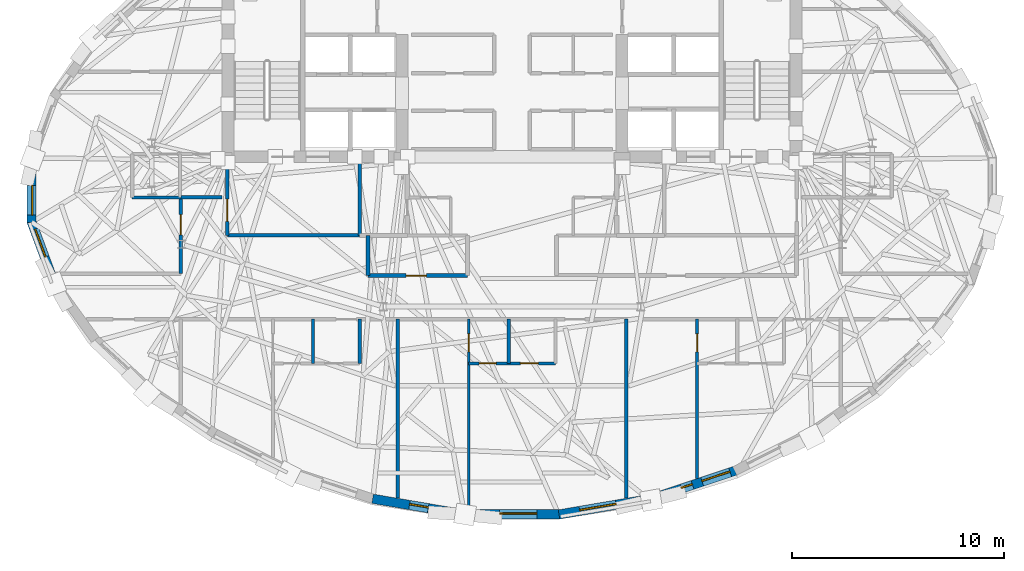
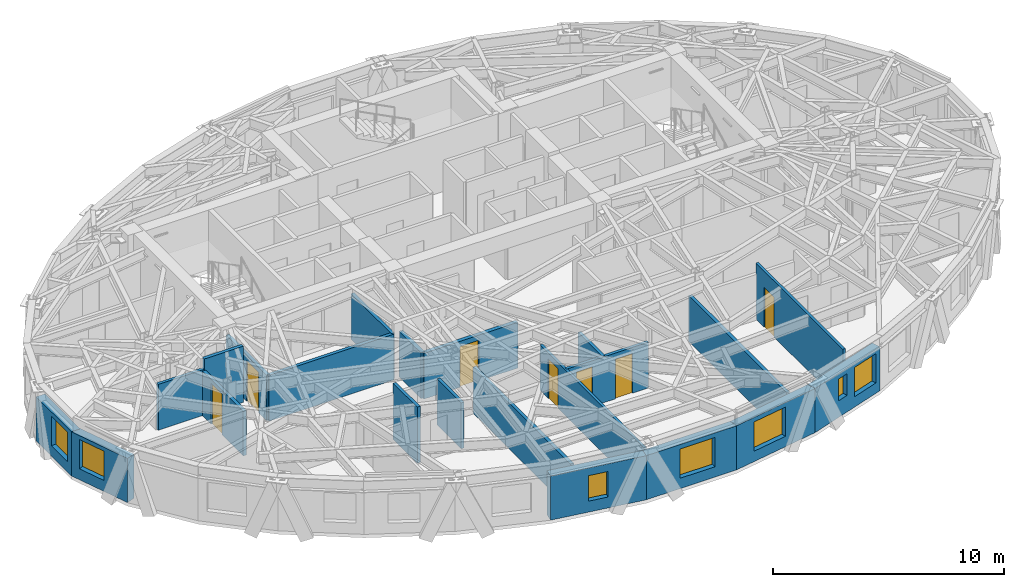
# One storey, part 6 of 14: 22 walls, 7 doors, 7 windows, 14 openings.
"""IFC4 building model written with IfcOpenShell, lengths in metres."""

from ifc_helpers import new_model, si_unit, direction, frame, frame_2d, origin, place, context, subcontext, project, spatial, rectangle, extrude, material, layer, layer_set, type_object, element, fill, save


model = new_model("IFC4")

# Units and contexts
model_context = context("Model", 3, precision=1e-05, world=origin(), true_north=direction((0.0, 1.0)))
body_context = subcontext(model_context, "Body", "Model", "MODEL_VIEW")
ifc_project = project(units=[si_unit("LENGTHUNIT", "METRE"), si_unit("AREAUNIT", "SQUARE_METRE"), si_unit("VOLUMEUNIT", "CUBIC_METRE"), si_unit("PLANEANGLEUNIT", "RADIAN"), si_unit("MASSUNIT", "GRAM", prefix="KILO")], contexts=[model_context])

# Site, building, storey
site_placement = place(None, origin())
site = spatial("IfcSite", under=ifc_project, at=site_placement, CompositionType="ELEMENT")
building_placement = place(site_placement, origin())
building = spatial("IfcBuilding", under=site, at=building_placement, Name="Keldmark Tower", CompositionType="ELEMENT")
storey_placement = place(building_placement, frame((0.0, 0.0, 222.60009765625)))
storey = spatial("IfcBuildingStorey", under=building, at=storey_placement, Name="L62", CompositionType="ELEMENT", Elevation=222.60009765625)

# Wall, opening, door
ifc_material_1 = material(Name="Heavy Acoustic Plumbing Chase Gypsum Assembly", Category="gypsum")
ifc_layer_1 = layer(ifc_material_1, 0.18994140625)
ifc_layer_set_1 = layer_set([ifc_layer_1], Name="Heavy Acoustic Plumbing Chase Gypsum Assembly")
wall_type_1 = type_object("IfcWallType", Name="Heavy Wet Wall 190 mm", PredefinedType="PLUMBINGWALL", material=ifc_layer_set_1)
wall_1_placement = place(storey_placement, frame((-6.800048828125, -4.050048828125, 0.0), z_axis=(0.0, 0.0, 1.0), x_axis=(1.0, 0.0, 0.0)))
wall_1 = element("IfcWall", 1, at=wall_1_placement, inside=storey, type_object=wall_type_1, Name="L62 Heavy Wet Wall 190 mm SPK-W-S", PredefinedType="PLUMBINGWALL", context=body_context, shape_type="SweptSolid", body=[
    extrude(rectangle(XDim=4.699951171875, YDim=0.18994140625, at=frame_2d((2.35009765625, 0.0))), origin(), (0.0, 0.0, 1.0), 2.4228515625),
])
opening_1_placement = place(wall_1_placement, frame((1.800048828125, 0.0, 0.0)))
opening_1 = element("IfcOpeningElement", 2, at=opening_1_placement, cuts=wall_1, Name="Opening D-AWC95", PredefinedType="OPENING", context=body_context, shape_type="SweptSolid", body=[
    extrude(rectangle(XDim=0.949951171875, YDim=2.14990234375, at=frame_2d((0.47509765625, 1.074951171875))), frame((0.0, 0.10498046875, 0.0), z_axis=(0.0, -1.0, 0.0), x_axis=(1.0, 0.0, 0.0)), (0.0, 0.0, 1.0), 0.2099609375),
])
ifc_material_2 = material(Name="Painted Solid-Core Architectural Wood", Category="wood")
door_type_1 = type_object("IfcDoorType", Name="Accessible WC Door 950x2150", OperationType="NOTDEFINED", PredefinedType="DOOR", material=ifc_material_2)
door_1_placement = place(opening_1_placement, origin())
door_1 = element("IfcDoor", 3, at=door_1_placement, inside=storey, type_object=door_type_1, Name="L62 Accessible WC Door 950x2150 D-SPKW1-L62", OperationType="SINGLE_SWING_LEFT", OverallHeight=2.14990234375, OverallWidth=0.949951171875, PredefinedType="DOOR", context=body_context, shape_type="SweptSolid", body=[
    extrude(rectangle(XDim=0.949951171875, YDim=2.14990234375, at=frame_2d((0.47509765625, 1.074951171875))), frame((0.0, 0.02490234375, 0.0), z_axis=(0.0, -1.0, 0.0), x_axis=(1.0, 0.0, 0.0)), (0.0, 0.0, 1.0), 0.050048828125),
])
fill(opening_1, door_1)

# Wall
wall_2_placement = place(storey_placement, frame((-6.800048828125, -4.050048828125, 0.0), z_axis=(0.0, 0.0, 1.0), x_axis=(0.0, 1.0, 0.0)))
element("IfcWall", 4, at=wall_2_placement, inside=storey, type_object=wall_type_1, Name="L62 Heavy Wet Wall 190 mm SPK-W-W", PredefinedType="PLUMBINGWALL", context=body_context, shape_type="SweptSolid", body=[
    extrude(rectangle(XDim=1.900146484375, YDim=0.18994140625, at=frame_2d((0.9501953125, 0.0))), origin(), (0.0, 0.0, 1.0), 2.4228515625),
])

# Wall, opening, door
ifc_material_3 = material(Name="Acoustic Gypsum Board Interior Partition", Category="gypsum")
ifc_layer_2 = layer(ifc_material_3, 0.1298828125)
ifc_layer_set_2 = layer_set([ifc_layer_2], Name="Acoustic Gypsum Board Interior Partition")
wall_type_2 = type_object("IfcWallType", Name="Interior Partition 130 mm", PredefinedType="PARTITIONING", material=ifc_layer_set_2)
wall_3_placement = place(storey_placement, frame((-2.050048828125, -15.105712890625, 0.0), z_axis=(0.0, 0.0, 1.0), x_axis=(0.0, 1.0, 0.0)))
wall_3 = element("IfcWall", 5, at=wall_3_placement, inside=storey, type_object=wall_type_2, Name="L62 Interior Partition 130 mm UB-BR1-E", PredefinedType="PARTITIONING", context=body_context, shape_type="SweptSolid", body=[
    extrude(rectangle(XDim=9.005615234375, YDim=0.1298828125, at=frame_2d((4.5029296875, 0.0))), origin(), (0.0, 0.0, 1.0), 2.4228515625),
])
opening_2_placement = place(wall_3_placement, frame((7.4560546875, 0.0, 0.0)))
opening_2 = element("IfcOpeningElement", 6, at=opening_2_placement, cuts=wall_3, Name="Opening D-BR085", PredefinedType="OPENING", context=body_context, shape_type="SweptSolid", body=[
    extrude(rectangle(XDim=0.85009765625, YDim=2.10009765625, at=frame_2d((0.425048828125, 1.050048828125))), frame((0.0, 0.074951171875, 0.0), z_axis=(0.0, -1.0, 0.0), x_axis=(1.0, 0.0, 0.0)), (0.0, 0.0, 1.0), 0.14990234375),
])
ifc_material_4 = material(Name="Solid-Core Stained Walnut Wood", Category="wood")
door_type_2 = type_object("IfcDoorType", Name="Bedroom Door 850x2100", OperationType="NOTDEFINED", PredefinedType="DOOR", material=ifc_material_4)
door_2_placement = place(opening_2_placement, origin())
door_2 = element("IfcDoor", 7, at=door_2_placement, inside=storey, type_object=door_type_2, Name="L62 Bedroom Door 850x2100 D-UB-BR1-L62", OperationType="SINGLE_SWING_RIGHT", OverallHeight=2.10009765625, OverallWidth=0.85009765625, PredefinedType="DOOR", context=body_context, shape_type="SweptSolid", body=[
    extrude(rectangle(XDim=0.85009765625, YDim=2.10009765625, at=frame_2d((0.425048828125, 1.050048828125))), frame((0.0, 0.02490234375, 0.0), z_axis=(0.0, -1.0, 0.0), x_axis=(1.0, 0.0, 0.0)), (0.0, 0.0, 1.0), 0.050048828125),
])
fill(opening_2, door_2)

wall_4_placement = place(storey_placement, frame((8.75, -13.6318359375, 0.0), z_axis=(0.0, 0.0, 1.0), x_axis=(0.0, 1.0, 0.0)))
wall_4 = element("IfcWall", 8, at=wall_4_placement, inside=storey, type_object=wall_type_2, Name="L62 Interior Partition 130 mm UC-BR1-E", PredefinedType="PARTITIONING", context=body_context, shape_type="SweptSolid", body=[
    extrude(rectangle(XDim=7.53173828125, YDim=0.1298828125, at=frame_2d((3.765869140625, 0.0))), origin(), (0.0, 0.0, 1.0), 2.969970703125),
])
opening_3_placement = place(wall_4_placement, frame((5.982421875, 0.0, 0.0)))
opening_3 = element("IfcOpeningElement", 9, at=opening_3_placement, cuts=wall_4, Name="Opening D-BR085", PredefinedType="OPENING", context=body_context, shape_type="SweptSolid", body=[
    extrude(rectangle(XDim=0.85009765625, YDim=2.10009765625, at=frame_2d((0.425048828125, 1.050048828125))), frame((0.0, 0.074951171875, 0.0), z_axis=(0.0, -1.0, 0.0), x_axis=(1.0, 0.0, 0.0)), (0.0, 0.0, 1.0), 0.14990234375),
])
door_3_placement = place(opening_3_placement, origin())
door_3 = element("IfcDoor", 10, at=door_3_placement, inside=storey, type_object=door_type_2, Name="L62 Bedroom Door 850x2100 D-UC-BR1-L62", OperationType="SINGLE_SWING_RIGHT", OverallHeight=2.10009765625, OverallWidth=0.85009765625, PredefinedType="DOOR", context=body_context, shape_type="SweptSolid", body=[
    extrude(rectangle(XDim=0.85009765625, YDim=2.10009765625, at=frame_2d((0.425048828125, 1.050048828125))), frame((0.0, 0.02490234375, 0.0), z_axis=(0.0, -1.0, 0.0), x_axis=(1.0, 0.0, 0.0)), (0.0, 0.0, 1.0), 0.050048828125),
])
fill(opening_3, door_3)

# Wall
ifc_material_5 = material(Name="Type X Fire-Rated Gypsum Partition Assembly", Category="gypsum")
ifc_layer_3 = layer(ifc_material_5, 0.1650390625)
ifc_layer_set_3 = layer_set([ifc_layer_3], Name="Type X Fire-Rated Gypsum Partition Assembly")
wall_type_3 = type_object("IfcWallType", Name="Rated Partition 165 mm", PredefinedType="PARTITIONING", material=ifc_layer_set_3)
wall_5_placement = place(storey_placement, frame((-13.449951171875, -2.14990234375, 0.0), z_axis=(0.0, 0.0, 1.0), x_axis=(1.0, 0.0, 0.0)))
element("IfcWall", 11, at=wall_5_placement, inside=storey, type_object=wall_type_3, Name="L62 Rated Partition 165 mm FSAE-W-S", PredefinedType="PARTITIONING", context=body_context, shape_type="SweptSolid", body=[
    extrude(rectangle(XDim=6.25, YDim=0.1650390625, at=frame_2d((3.125, 0.0))), origin(), (0.0, 0.0, 1.0), 2.4228515625),
])

# Wall, opening, door
wall_6_placement = place(storey_placement, frame((-13.449951171875, -2.14990234375, 0.0), z_axis=(0.0, 0.0, 1.0), x_axis=(0.0, 1.0, 0.0)))
wall_6 = element("IfcWall", 12, at=wall_6_placement, inside=storey, type_object=wall_type_3, Name="L62 Rated Partition 165 mm FSAE-W-W", PredefinedType="PARTITIONING", context=body_context, shape_type="SweptSolid", body=[
    extrude(rectangle(XDim=3.5, YDim=0.1650390625, at=frame_2d((1.75, 0.0))), origin(), (0.0, 0.0, 1.0), 2.4228515625),
])
opening_4_placement = place(wall_6_placement, frame((0.669921875, 0.0, 0.0)))
opening_4 = element("IfcOpeningElement", 13, at=opening_4_placement, cuts=wall_6, Name="Opening D-FL105", PredefinedType="OPENING", context=body_context, shape_type="SweptSolid", body=[
    extrude(rectangle(XDim=1.050048828125, YDim=2.14990234375, at=frame_2d((0.52490234375, 1.074951171875))), frame((0.0, 0.092529296875, 0.0), z_axis=(0.0, -1.0, 0.0), x_axis=(1.0, 0.0, 0.0)), (0.0, 0.0, 1.0), 0.18505859375),
])
ifc_material_6 = material(Name="Fire-Rated Mineral-Core Door and Vision Lite", Category="metal")
door_type_3 = type_object("IfcDoorType", Name="Fire Lobby Door 1050x2150", OperationType="NOTDEFINED", PredefinedType="DOOR", material=ifc_material_6)
door_4_placement = place(opening_4_placement, origin())
door_4 = element("IfcDoor", 14, at=door_4_placement, inside=storey, type_object=door_type_3, Name="L62 Fire Lobby Door 1050x2150 D-FSAEW-OUT-L62", OperationType="SINGLE_SWING_LEFT", OverallHeight=2.14990234375, OverallWidth=1.050048828125, PredefinedType="DOOR", context=body_context, shape_type="SweptSolid", body=[
    extrude(rectangle(XDim=1.050048828125, YDim=2.14990234375, at=frame_2d((0.52490234375, 1.074951171875))), frame((0.0, 0.02490234375, 0.0), z_axis=(0.0, -1.0, 0.0), x_axis=(1.0, 0.0, 0.0)), (0.0, 0.0, 1.0), 0.050048828125),
])
fill(opening_4, door_4)

# Wall
wall_7_placement = place(storey_placement, frame((-7.199951171875, -2.14990234375, 0.0), z_axis=(0.0, 0.0, 1.0), x_axis=(0.0, 1.0, 0.0)))
element("IfcWall", 15, at=wall_7_placement, inside=storey, type_object=wall_type_3, Name="L62 Rated Partition 165 mm FSAE-W-E", PredefinedType="PARTITIONING", context=body_context, shape_type="SweptSolid", body=[
    extrude(rectangle(XDim=3.5, YDim=0.1650390625, at=frame_2d((1.75, 0.0))), origin(), (0.0, 0.0, 1.0), 2.4228515625),
])

# Wall, opening, door
wall_8_placement = place(storey_placement, frame((-15.64990234375, -3.949951171875, 0.0), z_axis=(0.0, 0.0, 1.0), x_axis=(0.0, 1.0, 0.0)))
wall_8 = element("IfcWall", 16, at=wall_8_placement, inside=storey, type_object=wall_type_3, Name="L62 Rated Partition 165 mm RCOR-VW", PredefinedType="PARTITIONING", context=body_context, shape_type="SweptSolid", body=[
    extrude(rectangle(XDim=3.599853515625, YDim=0.1650390625, at=frame_2d((1.7998046875, 0.0))), origin(), (0.0, 0.0, 1.0), 2.35693359375),
])
opening_5_placement = place(wall_8_placement, frame((1.830078125, 0.0, 0.0)))
opening_5 = element("IfcOpeningElement", 17, at=opening_5_placement, cuts=wall_8, Name="Opening D-AP095", PredefinedType="OPENING", context=body_context, shape_type="SweptSolid", body=[
    extrude(rectangle(XDim=0.949951171875, YDim=2.14990234375, at=frame_2d((0.47509765625, 1.074951171875))), frame((0.0, 0.092529296875, 0.0), z_axis=(0.0, -1.0, 0.0), x_axis=(1.0, 0.0, 0.0)), (0.0, 0.0, 1.0), 0.18505859375),
])
ifc_material_7 = material(Name="Solid-Core Walnut Fire-Rated Entry Assembly", Category="wood")
door_type_4 = type_object("IfcDoorType", Name="Apartment Entry Door 950x2150", OperationType="NOTDEFINED", PredefinedType="DOOR", material=ifc_material_7)
door_5_placement = place(opening_5_placement, origin())
door_5 = element("IfcDoor", 18, at=door_5_placement, inside=storey, type_object=door_type_4, Name="L62 Apartment Entry Door 950x2150 D-UD-ENT-L62", OperationType="SINGLE_SWING_RIGHT", OverallHeight=2.14990234375, OverallWidth=0.949951171875, PredefinedType="DOOR", context=body_context, shape_type="SweptSolid", body=[
    extrude(rectangle(XDim=0.949951171875, YDim=2.14990234375, at=frame_2d((0.47509765625, 1.074951171875))), frame((0.0, 0.02490234375, 0.0), z_axis=(0.0, -1.0, 0.0), x_axis=(1.0, 0.0, 0.0)), (0.0, 0.0, 1.0), 0.050048828125),
])
fill(opening_5, door_5)

# Walls
wall_9_placement = place(storey_placement, frame((-15.64990234375, -0.35009765625, 0.0), z_axis=(0.0, 0.0, 1.0), x_axis=(1.0, 0.0, 0.0)))
element("IfcWall", 19, at=wall_9_placement, inside=storey, type_object=wall_type_3, Name="L62 Rated Partition 165 mm RCOR-VWN", PredefinedType="PARTITIONING", context=body_context, shape_type="SweptSolid", body=[
    extrude(rectangle(XDim=1.949951171875, YDim=0.1650390625, at=frame_2d((0.97509765625, 0.0))), origin(), (0.0, 0.0, 1.0), 2.969970703125),
])
for number, where, z_axis, x_axis, name in (
    (20, (-5.39990234375, -14.565185546875, 0.0), (0.0, 0.0, 1.0), (0.0, 1.0, 0.0), "L62 Rated Partition 165 mm RS-DIV-1"),
    (21, (5.39990234375, -14.565185546875, 0.0), (0.0, 0.0, 1.0), (0.0, 1.0, 0.0), "L62 Rated Partition 165 mm RS-DIV-2"),
):
    element("IfcWall", number, at=place(storey_placement, frame(where, z_axis=z_axis, x_axis=x_axis)), inside=storey, type_object=wall_type_3, Name=name, PredefinedType="PARTITIONING", context=body_context, shape_type="SweptSolid", body=[
        extrude(rectangle(XDim=8.465087890625, YDim=0.1650390625, at=frame_2d((4.232421875, 0.0))), origin(), (0.0, 0.0, 1.0), 2.4228515625),
    ])

# Wall, opening, window
ifc_material_8 = material(Name="Ironspot Manganese Brick and Kasota Buff Limestone Spandrel Assembly", Category="masonry")
ifc_layer_4 = layer(ifc_material_8, 0.43994140625)
ifc_layer_set_4 = layer_set([ifc_layer_4], Name="Ironspot Manganese Brick and Kasota Buff Limestone Spandrel Assembly")
wall_type_4 = type_object("IfcWallType", Name="Tower Brick Pier and Spandrel Wall 440 mm", PredefinedType="STANDARD", material=ifc_layer_set_4)
wall_10_placement = place(storey_placement, frame((-22.714111328125, -1.531982421875, 0.0), z_axis=(0.0, 0.0, 1.0), x_axis=(0.0, 1.0, 0.0)))
wall_10 = element("IfcWall", 22, at=wall_10_placement, inside=storey, type_object=wall_type_4, Name="L62 Exterior Brick and Spandrel Wall 16", PredefinedType="STANDARD", context=body_context, shape_type="SweptSolid", body=[
    extrude(rectangle(XDim=3.06396484375, YDim=0.43994140625, at=frame_2d((1.531982421875, 0.0))), origin(), (0.0, 0.0, 1.0), 2.3359375),
])
opening_6_placement = place(wall_10_placement, frame((0.345703125, 0.0, 0.550048828125)))
opening_6 = element("IfcOpeningElement", 23, at=opening_6_placement, cuts=wall_10, Name="Opening W-08", PredefinedType="OPENING", context=body_context, shape_type="SweptSolid", body=[
    extrude(rectangle(XDim=1.39990234375, YDim=1.550048828125, at=frame_2d((0.699951171875, 0.77490234375))), frame((0.0, 0.22998046875, 0.0), z_axis=(0.0, -1.0, 0.0), x_axis=(1.0, 0.0, 0.0)), (0.0, 0.0, 1.0), 0.4599609375),
])
ifc_material_9 = material(Name="Thermally Broken Anodized Aluminum and Triple Low-E Argon Glazing", Category="aluminium")
window_type_1 = type_object("IfcWindowType", Name="Residential Corner Punched Window 1400x1550", PartitioningType="SINGLE_PANEL", PredefinedType="WINDOW", material=ifc_material_9)
window_1_placement = place(opening_6_placement, origin())
window_1 = element("IfcWindow", 24, at=window_1_placement, inside=storey, type_object=window_type_1, Name="L62 Deep-Set Window 16", OverallHeight=1.550048828125, OverallWidth=1.39990234375, PartitioningType="SINGLE_PANEL", PredefinedType="WINDOW", context=body_context, shape_type="SweptSolid", body=[
    extrude(rectangle(XDim=1.39990234375, YDim=1.550048828125, at=frame_2d((0.699951171875, 0.77490234375))), frame((0.0, -0.010009765625, 0.0), z_axis=(0.0, -1.0, 0.0), x_axis=(1.0, 0.0, 0.0)), (0.0, 0.0, 1.0), 0.06005859375),
])
fill(opening_6, window_1)

wall_11_placement = place(storey_placement, frame((-21.633056640625, -4.416748046875, 0.0), z_axis=(0.0, 0.0, 1.0), x_axis=(-0.346755155412, 0.937955682426, 0.0)))
wall_11 = element("IfcWall", 25, at=wall_11_placement, inside=storey, type_object=wall_type_4, Name="L62 Exterior Brick and Spandrel Wall 17", PredefinedType="STANDARD", context=body_context, shape_type="SweptSolid", body=[
    extrude(rectangle(XDim=3.156982421875, YDim=0.43994140625, at=frame_2d((1.57861328125, 0.0))), origin(), (0.0, 0.0, 1.0), 2.3359375),
])
opening_7_placement = place(wall_11_placement, frame((1.314697265625, 0.0, 0.580078125)))
opening_7 = element("IfcOpeningElement", 26, at=opening_7_placement, cuts=wall_11, Name="Opening W-08", PredefinedType="OPENING", context=body_context, shape_type="SweptSolid", body=[
    extrude(rectangle(XDim=1.39990234375, YDim=1.550048828125, at=frame_2d((0.699951171875, 0.77490234375))), frame((0.0, 0.22998046875, 0.0), z_axis=(0.0, -1.0, 0.0), x_axis=(1.0, 0.0, 0.0)), (0.0, 0.0, 1.0), 0.4599609375),
])
window_2_placement = place(opening_7_placement, origin())
window_2 = element("IfcWindow", 27, at=window_2_placement, inside=storey, type_object=window_type_1, Name="L62 Deep-Set Window 17", OverallHeight=1.550048828125, OverallWidth=1.39990234375, PartitioningType="SINGLE_PANEL", PredefinedType="WINDOW", context=body_context, shape_type="SweptSolid", body=[
    extrude(rectangle(XDim=1.39990234375, YDim=1.550048828125, at=frame_2d((0.699951171875, 0.77490234375))), frame((0.0, -0.010009765625, 0.0), z_axis=(0.0, -1.0, 0.0), x_axis=(1.0, 0.0, 0.0)), (0.0, 0.0, 1.0), 0.06005859375),
])
fill(opening_7, window_2)

wall_12_placement = place(storey_placement, frame((-2.221923828125, -15.3369140625, 0.0), z_axis=(0.0, 0.0, 1.0), x_axis=(-0.985849288176, 0.16763406874, 0.0)))
wall_12 = element("IfcWall", 28, at=wall_12_placement, inside=storey, type_object=wall_type_4, Name="L62 Exterior Brick and Spandrel Wall 23", PredefinedType="STANDARD", context=body_context, shape_type="SweptSolid", body=[
    extrude(rectangle(XDim=4.428955078125, YDim=0.43994140625, at=frame_2d((2.21435546875, 0.0))), origin(), (0.0, 0.0, 1.0), 2.3359375),
])
opening_8_placement = place(wall_12_placement, frame((1.764404296875, 0.0, 0.580078125)))
opening_8 = element("IfcOpeningElement", 29, at=opening_8_placement, cuts=wall_12, Name="Opening W-09", PredefinedType="OPENING", context=body_context, shape_type="SweptSolid", body=[
    extrude(rectangle(XDim=0.89990234375, YDim=1.35009765625, at=frame_2d((0.449951171875, 0.675048828125))), frame((0.0, 0.22998046875, 0.0), z_axis=(0.0, -1.0, 0.0), x_axis=(1.0, 0.0, 0.0)), (0.0, 0.0, 1.0), 0.4599609375),
])
ifc_material_10 = material(Name="Thermally Broken Anodized Aluminum and Triple Low-E Argon Glazing", Category="aluminium")
window_type_2 = type_object("IfcWindowType", Name="Corner Pier Deep-Set Window 900x1350", PartitioningType="SINGLE_PANEL", PredefinedType="WINDOW", material=ifc_material_10)
window_3_placement = place(opening_8_placement, origin())
window_3 = element("IfcWindow", 30, at=window_3_placement, inside=storey, type_object=window_type_2, Name="L62 Deep-Set Window 23", OverallHeight=1.35009765625, OverallWidth=0.89990234375, PartitioningType="SINGLE_PANEL", PredefinedType="WINDOW", context=body_context, shape_type="SweptSolid", body=[
    extrude(rectangle(XDim=0.89990234375, YDim=1.35009765625, at=frame_2d((0.449951171875, 0.675048828125))), frame((0.0, -0.010009765625, 0.0), z_axis=(0.0, -1.0, 0.0), x_axis=(1.0, 0.0, 0.0)), (0.0, 0.0, 1.0), 0.06005859375),
])
fill(opening_8, window_3)

wall_13_placement = place(storey_placement, frame((2.2587890625, -15.333740234375, 0.0), z_axis=(0.0, 0.0, 1.0), x_axis=(-1.0, 0.0, 0.0)))
wall_13 = element("IfcWall", 31, at=wall_13_placement, inside=storey, type_object=wall_type_4, Name="L62 Exterior Brick and Spandrel Wall 24", PredefinedType="STANDARD", context=body_context, shape_type="SweptSolid", body=[
    extrude(rectangle(XDim=4.517578125, YDim=0.43994140625, at=frame_2d((2.2587890625, 0.0))), origin(), (0.0, 0.0, 1.0), 2.3359375),
])
opening_9_placement = place(wall_13_placement, frame((1.087890625, 0.0, 0.550048828125)))
opening_9 = element("IfcOpeningElement", 32, at=opening_9_placement, cuts=wall_13, Name="Opening W-05", PredefinedType="OPENING", context=body_context, shape_type="SweptSolid", body=[
    extrude(rectangle(XDim=1.75, YDim=1.550048828125, at=frame_2d((0.875, 0.77490234375))), frame((0.0, 0.22998046875, 0.0), z_axis=(0.0, -1.0, 0.0), x_axis=(1.0, 0.0, 0.0)), (0.0, 0.0, 1.0), 0.4599609375),
])
ifc_material_11 = material(Name="Thermally Broken Anodized Aluminum and Triple Low-E Argon Glazing", Category="aluminium")
window_type_3 = type_object("IfcWindowType", Name="Residential Deep-Set Window 1750x1550", PartitioningType="DOUBLE_PANEL_VERTICAL", PredefinedType="WINDOW", material=ifc_material_11)
window_4_placement = place(opening_9_placement, origin())
window_4 = element("IfcWindow", 33, at=window_4_placement, inside=storey, type_object=window_type_3, Name="L62 Deep-Set Window 24", OverallHeight=1.550048828125, OverallWidth=1.75, PartitioningType="SINGLE_PANEL", PredefinedType="WINDOW", context=body_context, shape_type="SweptSolid", body=[
    extrude(rectangle(XDim=1.75, YDim=1.550048828125, at=frame_2d((0.875, 0.77490234375))), frame((0.0, -0.010009765625, 0.0), z_axis=(0.0, -1.0, 0.0), x_axis=(1.0, 0.0, 0.0)), (0.0, 0.0, 1.0), 0.06005859375),
])
fill(opening_9, window_4)

wall_14_placement = place(storey_placement, frame((6.588134765625, -14.594482421875, 0.0), z_axis=(0.0, 0.0, 1.0), x_axis=(-0.985849288176, -0.16763406874, 0.0)))
wall_14 = element("IfcWall", 34, at=wall_14_placement, inside=storey, type_object=wall_type_4, Name="L62 Exterior Brick and Spandrel Wall 25", PredefinedType="STANDARD", context=body_context, shape_type="SweptSolid", body=[
    extrude(rectangle(XDim=4.428955078125, YDim=0.43994140625, at=frame_2d((2.21435546875, 0.0))), origin(), (0.0, 0.0, 1.0), 2.3359375),
])
opening_10_placement = place(wall_14_placement, frame((1.686279296875, 0.0, 0.550048828125)))
opening_10 = element("IfcOpeningElement", 35, at=opening_10_placement, cuts=wall_14, Name="Opening W-05", PredefinedType="OPENING", context=body_context, shape_type="SweptSolid", body=[
    extrude(rectangle(XDim=1.75, YDim=1.550048828125, at=frame_2d((0.875, 0.77490234375))), frame((0.0, 0.22998046875, 0.0), z_axis=(0.0, -1.0, 0.0), x_axis=(1.0, 0.0, 0.0)), (0.0, 0.0, 1.0), 0.4599609375),
])
window_5_placement = place(opening_10_placement, origin())
window_5 = element("IfcWindow", 36, at=window_5_placement, inside=storey, type_object=window_type_3, Name="L62 Deep-Set Window 25", OverallHeight=1.550048828125, OverallWidth=1.75, PartitioningType="SINGLE_PANEL", PredefinedType="WINDOW", context=body_context, shape_type="SweptSolid", body=[
    extrude(rectangle(XDim=1.75, YDim=1.550048828125, at=frame_2d((0.875, 0.77490234375))), frame((0.0, -0.010009765625, 0.0), z_axis=(0.0, -1.0, 0.0), x_axis=(1.0, 0.0, 0.0)), (0.0, 0.0, 1.0), 0.06005859375),
])
fill(opening_10, window_5)

# Wall, openings, windows
wall_15_placement = place(storey_placement, frame((10.5546875, -13.271240234375, 0.0), z_axis=(0.0, 0.0, 1.0), x_axis=(-0.948810648135, -0.315845459024, 0.0)))
wall_15 = element("IfcWall", 37, at=wall_15_placement, inside=storey, type_object=wall_type_4, Name="L62 Exterior Brick and Spandrel Wall 26", PredefinedType="STANDARD", context=body_context, shape_type="SweptSolid", body=[
    extrude(rectangle(XDim=4.215087890625, YDim=0.43994140625, at=frame_2d((2.107421875, 0.0))), origin(), (0.0, 0.0, 1.0), 2.3359375),
])
opening_11_placement = place(wall_15_placement, frame((0.249267578125, 0.0, 0.550048828125)))
opening_11 = element("IfcOpeningElement", 38, at=opening_11_placement, cuts=wall_15, Name="Opening W-08", PredefinedType="OPENING", context=body_context, shape_type="SweptSolid", body=[
    extrude(rectangle(XDim=1.39990234375, YDim=1.550048828125, at=frame_2d((0.699951171875, 0.77490234375))), frame((0.0, 0.22998046875, 0.0), z_axis=(0.0, -1.0, 0.0), x_axis=(1.0, 0.0, 0.0)), (0.0, 0.0, 1.0), 0.4599609375),
])
opening_12_placement = place(wall_15_placement, frame((2.125244140625, 0.0, 0.8798828125)))
opening_12 = element("IfcOpeningElement", 39, at=opening_12_placement, cuts=wall_15, Name="Opening W-10", PredefinedType="OPENING", context=body_context, shape_type="SweptSolid", body=[
    extrude(rectangle(XDim=0.56005859375, YDim=1.14990234375, at=frame_2d((0.280029296875, 0.574951171875))), frame((0.0, 0.22998046875, 0.0), z_axis=(0.0, -1.0, 0.0), x_axis=(1.0, 0.0, 0.0)), (0.0, 0.0, 1.0), 0.4599609375),
])
ifc_material_12 = material(Name="Thermally Broken Anodized Aluminum and Triple Low-E Argon Glazing", Category="aluminium")
window_type_4 = type_object("IfcWindowType", Name="Narrow Pier Lancet Window 560x1150", PartitioningType="SINGLE_PANEL", PredefinedType="WINDOW", material=ifc_material_12)
window_6_placement = place(opening_12_placement, origin())
window_6 = element("IfcWindow", 40, at=window_6_placement, inside=storey, type_object=window_type_4, Name="L62 Pier Window RM01", OverallHeight=1.14990234375, OverallWidth=0.56005859375, PartitioningType="SINGLE_PANEL", PredefinedType="WINDOW", context=body_context, shape_type="SweptSolid", body=[
    extrude(rectangle(XDim=0.56005859375, YDim=1.14990234375, at=frame_2d((0.280029296875, 0.574951171875))), frame((0.0, -0.010009765625, 0.0), z_axis=(0.0, -1.0, 0.0), x_axis=(1.0, 0.0, 0.0)), (0.0, 0.0, 1.0), 0.06005859375),
])
fill(opening_12, window_6)
window_7_placement = place(opening_11_placement, origin())
window_7 = element("IfcWindow", 41, at=window_7_placement, inside=storey, type_object=window_type_1, Name="L62 Deep-Set Window 26", OverallHeight=1.550048828125, OverallWidth=1.39990234375, PartitioningType="SINGLE_PANEL", PredefinedType="WINDOW", context=body_context, shape_type="SweptSolid", body=[
    extrude(rectangle(XDim=1.39990234375, YDim=1.550048828125, at=frame_2d((0.699951171875, 0.77490234375))), frame((0.0, -0.010009765625, 0.0), z_axis=(0.0, -1.0, 0.0), x_axis=(1.0, 0.0, 0.0)), (0.0, 0.0, 1.0), 0.06005859375),
])
fill(opening_11, window_7)

# Walls
ifc_material_13 = material(Name="Moisture-Resistant Gypsum Plumbing Partition", Category="gypsum")
ifc_layer_5 = layer(ifc_material_13, 0.14990234375)
ifc_layer_set_5 = layer_set([ifc_layer_5], Name="Moisture-Resistant Gypsum Plumbing Partition")
wall_type_5 = type_object("IfcWallType", Name="Wet Wall 150 mm", PredefinedType="PLUMBINGWALL", material=ifc_layer_set_5)
wall_16_placement = place(storey_placement, frame((-9.39990234375, -8.199951171875, 0.0), z_axis=(0.0, 0.0, 1.0), x_axis=(0.0, 1.0, 0.0)))
element("IfcWall", 42, at=wall_16_placement, inside=storey, type_object=wall_type_5, Name="L62 Wet Wall 150 mm UA-BK-M", PredefinedType="PLUMBINGWALL", context=body_context, shape_type="SweptSolid", body=[
    extrude(rectangle(XDim=2.099853515625, YDim=0.14990234375, at=frame_2d((1.0498046875, 0.0))), origin(), (0.0, 0.0, 1.0), 2.969970703125),
])
wall_17_placement = place(storey_placement, frame((-7.199951171875, -8.199951171875, 0.0), z_axis=(0.0, 0.0, 1.0), x_axis=(0.0, 1.0, 0.0)))
element("IfcWall", 43, at=wall_17_placement, inside=storey, type_object=wall_type_5, Name="L62 Wet Wall 150 mm UA-BK-E", PredefinedType="PLUMBINGWALL", context=body_context, shape_type="SweptSolid", body=[
    extrude(rectangle(XDim=2.099853515625, YDim=0.14990234375, at=frame_2d((1.0498046875, 0.0))), origin(), (0.0, 0.0, 1.0), 2.4228515625),
])

# Wall, openings, doors
wall_18_placement = place(storey_placement, frame((-2.050048828125, -8.199951171875, 0.0), z_axis=(0.0, 0.0, 1.0), x_axis=(1.0, 0.0, 0.0)))
wall_18 = element("IfcWall", 44, at=wall_18_placement, inside=storey, type_object=wall_type_5, Name="L62 Wet Wall 150 mm UB-BK-S", PredefinedType="PLUMBINGWALL", context=body_context, shape_type="SweptSolid", body=[
    extrude(rectangle(XDim=4.10009765625, YDim=0.14990234375, at=frame_2d((2.050048828125, 0.0))), origin(), (0.0, 0.0, 1.0), 2.4228515625),
])
opening_13_placement = place(wall_18_placement, frame((0.5, 0.0, 0.0)))
opening_13 = element("IfcOpeningElement", 45, at=opening_13_placement, cuts=wall_18, Name="Opening D-BT080", PredefinedType="OPENING", context=body_context, shape_type="SweptSolid", body=[
    extrude(rectangle(XDim=0.800048828125, YDim=2.10009765625, at=frame_2d((0.39990234375, 1.050048828125))), frame((0.0, 0.0849609375, 0.0), z_axis=(0.0, -1.0, 0.0), x_axis=(1.0, 0.0, 0.0)), (0.0, 0.0, 1.0), 0.169921875),
])
opening_14_placement = place(wall_18_placement, frame((2.449951171875, 0.0, 0.0)))
opening_14 = element("IfcOpeningElement", 46, at=opening_14_placement, cuts=wall_18, Name="Opening D-IN085", PredefinedType="OPENING", context=body_context, shape_type="SweptSolid", body=[
    extrude(rectangle(XDim=0.85009765625, YDim=2.10009765625, at=frame_2d((0.425048828125, 1.050048828125))), frame((0.0, 0.0849609375, 0.0), z_axis=(0.0, -1.0, 0.0), x_axis=(1.0, 0.0, 0.0)), (0.0, 0.0, 1.0), 0.169921875),
])
ifc_material_14 = material(Name="Moisture-Sealed Stained Wood", Category="wood")
door_type_5 = type_object("IfcDoorType", Name="Bathroom Door 800x2100", OperationType="NOTDEFINED", PredefinedType="DOOR", material=ifc_material_14)
door_6_placement = place(opening_13_placement, origin())
door_6 = element("IfcDoor", 47, at=door_6_placement, inside=storey, type_object=door_type_5, Name="L62 Bathroom Door 800x2100 D-UB-BATH-L62", OperationType="SINGLE_SWING_LEFT", OverallHeight=2.10009765625, OverallWidth=0.800048828125, PredefinedType="DOOR", context=body_context, shape_type="SweptSolid", body=[
    extrude(rectangle(XDim=0.800048828125, YDim=2.10009765625, at=frame_2d((0.39990234375, 1.050048828125))), frame((0.0, 0.02490234375, 0.0), z_axis=(0.0, -1.0, 0.0), x_axis=(1.0, 0.0, 0.0)), (0.0, 0.0, 1.0), 0.050048828125),
])
fill(opening_13, door_6)
ifc_material_15 = material(Name="Painted Architectural Wood", Category="wood")
door_type_6 = type_object("IfcDoorType", Name="Interior Door 850x2100", OperationType="NOTDEFINED", PredefinedType="DOOR", material=ifc_material_15)
door_7_placement = place(opening_14_placement, origin())
door_7 = element("IfcDoor", 48, at=door_7_placement, inside=storey, type_object=door_type_6, Name="L62 Interior Door 850x2100 D-UB-KIT-L62", OperationType="SINGLE_SWING_RIGHT", OverallHeight=2.10009765625, OverallWidth=0.85009765625, PredefinedType="DOOR", context=body_context, shape_type="SweptSolid", body=[
    extrude(rectangle(XDim=0.85009765625, YDim=2.10009765625, at=frame_2d((0.425048828125, 1.050048828125))), frame((0.0, 0.02490234375, 0.0), z_axis=(0.0, -1.0, 0.0), x_axis=(1.0, 0.0, 0.0)), (0.0, 0.0, 1.0), 0.050048828125),
])
fill(opening_14, door_7)

# Walls
wall_19_placement = place(storey_placement, frame((-0.14990234375, -8.199951171875, 0.0), z_axis=(0.0, 0.0, 1.0), x_axis=(0.0, 1.0, 0.0)))
element("IfcWall", 49, at=wall_19_placement, inside=storey, type_object=wall_type_5, Name="L62 Wet Wall 150 mm UB-BK-M", PredefinedType="PLUMBINGWALL", context=body_context, shape_type="SweptSolid", body=[
    extrude(rectangle(XDim=2.099853515625, YDim=0.14990234375, at=frame_2d((1.0498046875, 0.0))), origin(), (0.0, 0.0, 1.0), 2.4228515625),
])
wall_20_placement = place(storey_placement, frame((-17.949951171875, -0.35009765625, 0.0), z_axis=(0.0, 0.0, 1.0), x_axis=(1.0, 0.0, 0.0)))
element("IfcWall", 50, at=wall_20_placement, inside=storey, type_object=wall_type_5, Name="L62 Wet Wall 150 mm UD-BK-S", PredefinedType="PLUMBINGWALL", context=body_context, shape_type="SweptSolid", body=[
    extrude(rectangle(XDim=2.300048828125, YDim=0.14990234375, at=frame_2d((1.14990234375, 0.0))), origin(), (0.0, 0.0, 1.0), 2.4228515625),
])

save(model, "model.ifc")
